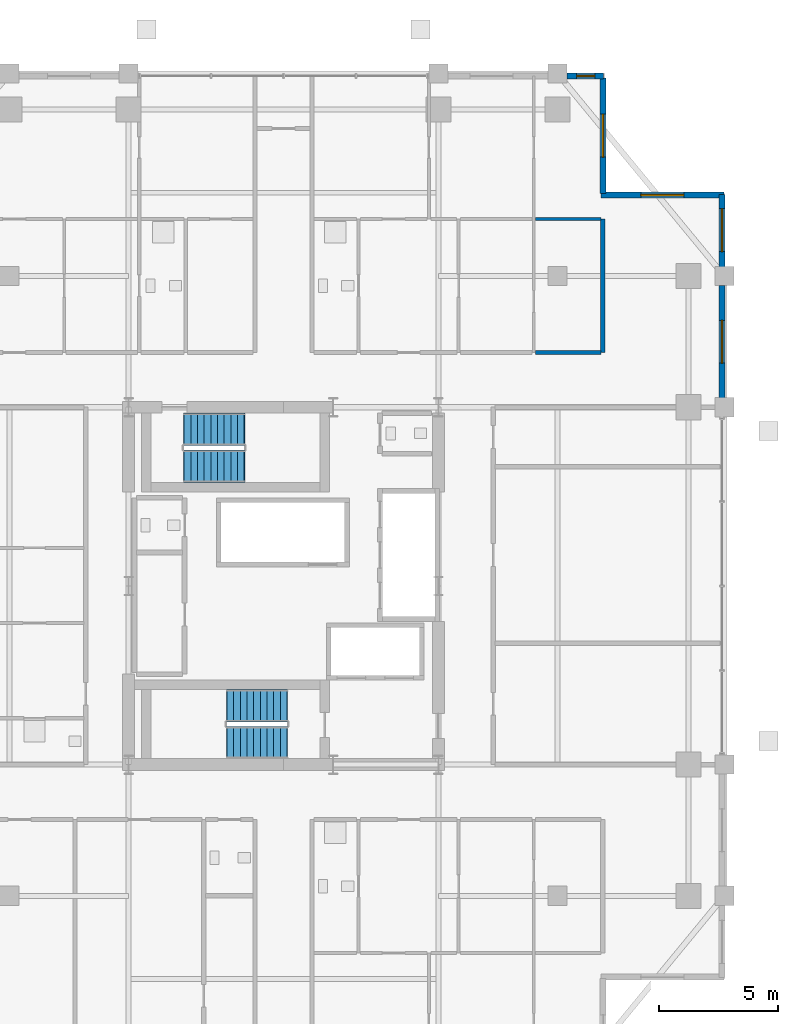
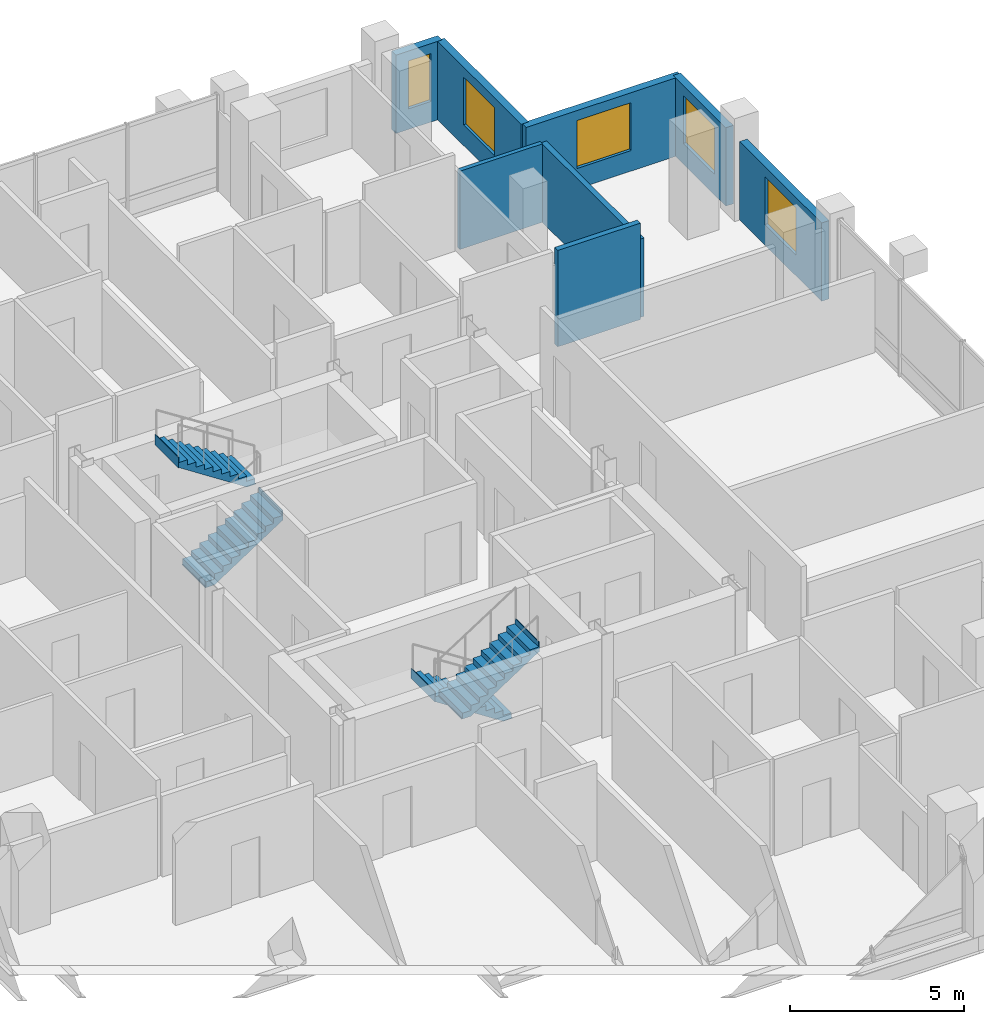
# One storey, part 22 of 24: 8 walls, 5 windows, 4 stair flights, 5 openings, 2 elements without a shape of their own.
"""IFC4 building model written with IfcOpenShell, lengths in metres."""

from ifc_helpers import new_model, si_unit, direction, frame, frame_2d, origin, place, context, subcontext, project, spatial, polyline, rectangle, outline, extrude, material, layer, layer_set, type_object, element, fill, aggregate, save


model = new_model("IFC4")

# Units and contexts
model_context = context("Model", 3, precision=1e-05, world=origin(), true_north=direction((0.0, 1.0)))
body_context = subcontext(model_context, "Body", "Model", "MODEL_VIEW")
ifc_project = project(units=[si_unit("LENGTHUNIT", "METRE"), si_unit("AREAUNIT", "SQUARE_METRE"), si_unit("VOLUMEUNIT", "CUBIC_METRE"), si_unit("PLANEANGLEUNIT", "RADIAN"), si_unit("MASSUNIT", "GRAM", prefix="KILO")], contexts=[model_context])

# Site, building, storey
site_placement = place(None, origin())
site = spatial("IfcSite", under=ifc_project, at=site_placement, CompositionType="ELEMENT")
building_placement = place(site_placement, origin())
building = spatial("IfcBuilding", under=site, at=building_placement, Name="Barlavira Tower and Art Museum", CompositionType="ELEMENT")
storey_placement = place(building_placement, frame((0.0, 0.0, 190.800048828125)))
storey = spatial("IfcBuildingStorey", under=building, at=storey_placement, Name="L49", CompositionType="ELEMENT", Elevation=190.800048828125)

# Walls
ifc_material_1 = material(Name="Gypsum acoustic stud partition", Category="gypsum")
ifc_layer_1 = layer(ifc_material_1, 0.179931640625, Name="Gypsum acoustic stud partition")
ifc_layer_set_1 = layer_set([ifc_layer_1], Name="Gypsum acoustic stud partition")
wall_type_1 = type_object("IfcWallType", Name="Inter-Tenancy Party Partition Wall 180", PredefinedType="PARTITIONING", material=ifc_layer_set_1)
wall_1_placement = place(storey_placement, frame((13.39990234375, 9.800048828125, 0.0), z_axis=(0.0, 0.0, 1.0), x_axis=(0.0, 1.0, 0.0)))
element("IfcWall", 1, at=wall_1_placement, inside=storey, type_object=wall_type_1, Name="L49 Partition Wall 26", PredefinedType="PARTITIONING", context=body_context, shape_type="SweptSolid", body=[
    extrude(rectangle(XDim=5.599853515625, YDim=0.179931640625, at=frame_2d((2.7998046875, 0.0))), origin(), (0.0, 0.0, 1.0), 2.748046875),
])
wall_2_placement = place(storey_placement, frame((10.580078125, 9.800048828125, 0.0), z_axis=(0.0, 0.0, 1.0), x_axis=(1.0, 0.0, 0.0)))
element("IfcWall", 2, at=wall_2_placement, inside=storey, type_object=wall_type_1, Name="L49 Partition Wall 66", PredefinedType="PARTITIONING", context=body_context, shape_type="SweptSolid", body=[
    extrude(rectangle(XDim=2.739990234375, YDim=0.179931640625, at=frame_2d((1.3701171875, 0.0))), origin(), (0.0, 0.0, 1.0), 3.3798828125),
])
ifc_layer_2 = layer(ifc_material_1, 0.139892578125, Name="Gypsum acoustic stud partition")
ifc_layer_set_2 = layer_set([ifc_layer_2], Name="Gypsum acoustic stud partition")
wall_type_2 = type_object("IfcWallType", Name="Moisture-Resistant Bathroom Partition 140", PredefinedType="PARTITIONING", material=ifc_layer_set_2)
wall_3_placement = place(storey_placement, frame((10.580078125, 15.39990234375, 0.0), z_axis=(0.0, 0.0, 1.0), x_axis=(1.0, 0.0, 0.0)))
element("IfcWall", 3, at=wall_3_placement, inside=storey, type_object=wall_type_2, Name="L49 Partition Wall 75", PredefinedType="PARTITIONING", context=body_context, shape_type="SweptSolid", body=[
    extrude(rectangle(XDim=2.739990234375, YDim=0.139892578125, at=frame_2d((1.3701171875, 0.0))), origin(), (0.0, 0.0, 1.0), 2.748046875),
])

# Wall, opening, window
ifc_material_2 = material(Name="Precast concrete C40", Category="concrete")
ifc_layer_3 = layer(ifc_material_2, 0.25, Name="Precast concrete C40")
ifc_layer_set_3 = layer_set([ifc_layer_3], Name="Precast concrete C40")
wall_type_3 = type_object("IfcWallType", Name="Notched Corner Spandrel Wall 250 Precast Concrete C40", PredefinedType="SOLIDWALL", material=ifc_layer_set_3)
wall_4_placement = place(storey_placement, frame((13.425048828125, 21.39990234375, 0.0), z_axis=(0.0, 0.0, 1.0), x_axis=(-1.0, 0.0, 0.0)))
wall_4 = element("IfcWall", 4, at=wall_4_placement, inside=storey, type_object=wall_type_3, Name="L49 Coastal Facade Pier Wall CW3-L49-N-1", PredefinedType="SOLIDWALL", context=body_context, shape_type="SweptSolid", body=[
    extrude(rectangle(XDim=1.530029296875, YDim=0.25, at=frame_2d((0.76513671875, 0.0))), origin(), (0.0, 0.0, 1.0), 2.748046875),
])
opening_1_placement = place(wall_4_placement, frame((0.363037109375, 0.0, 0.719970703125)))
opening_1 = element("IfcOpeningElement", 5, at=opening_1_placement, cuts=wall_4, Name="Opening WN-06", PredefinedType="OPENING", context=body_context, shape_type="SweptSolid", body=[
    extrude(rectangle(XDim=0.760009765625, YDim=1.679931640625, at=frame_2d((0.3798828125, 0.83984375))), frame((0.0, 0.135009765625, 0.0), z_axis=(0.0, -1.0, 0.0), x_axis=(1.0, 0.0, 0.0)), (0.0, 0.0, 1.0), 0.27001953125),
])
ifc_material_3 = material(Name="Low-iron coastal laminated glass", Category="glass")
window_type_1 = type_object("IfcWindowType", Name="Recessed Narrow Pier Window 760x1680", PartitioningType="SINGLE_PANEL", PredefinedType="WINDOW", material=ifc_material_3)
window_1_placement = place(opening_1_placement, origin())
window_1 = element("IfcWindow", 6, at=window_1_placement, inside=storey, type_object=window_type_1, Name="L49 Punched Facade Window EWP-CW3-L49-N-1-1", OverallHeight=1.679931640625, OverallWidth=0.760009765625, PartitioningType="SINGLE_PANEL", PredefinedType="WINDOW", context=body_context, shape_type="SweptSolid", body=[
    extrude(rectangle(XDim=0.760009765625, YDim=1.679931640625, at=frame_2d((0.3798828125, 0.83984375))), frame((0.0, 0.030029296875, 0.0), z_axis=(0.0, -1.0, 0.0), x_axis=(1.0, 0.0, 0.0)), (0.0, 0.0, 1.0), 0.06005859375),
])
fill(opening_1, window_1)

wall_5_placement = place(storey_placement, frame((18.39990234375, 7.89501953125, 0.0), z_axis=(0.0, 0.0, 1.0), x_axis=(0.0, 1.0, 0.0)))
wall_5 = element("IfcWall", 7, at=wall_5_placement, inside=storey, type_object=wall_type_3, Name="L49 Coastal Facade Pier Wall CW3-L49-E-4", PredefinedType="SOLIDWALL", context=body_context, shape_type="SweptSolid", body=[
    extrude(rectangle(XDim=4.7099609375, YDim=0.25, at=frame_2d((2.35498046875, 0.0))), origin(), (0.0, 0.0, 1.0), 2.748046875),
])
opening_2_placement = place(wall_5_placement, frame((1.455078125, 0.0, 0.719970703125)))
opening_2 = element("IfcOpeningElement", 8, at=opening_2_placement, cuts=wall_5, Name="Opening WN-01", PredefinedType="OPENING", context=body_context, shape_type="SweptSolid", body=[
    extrude(rectangle(XDim=1.800048828125, YDim=1.679931640625, at=frame_2d((0.89990234375, 0.83984375))), frame((0.0, 0.135009765625, 0.0), z_axis=(0.0, -1.0, 0.0), x_axis=(1.0, 0.0, 0.0)), (0.0, 0.0, 1.0), 0.27001953125),
])
window_type_2 = type_object("IfcWindowType", Name="Recessed Notch Corner Punch Window 1800x1680", PartitioningType="SINGLE_PANEL", PredefinedType="WINDOW", material=ifc_material_3)
window_2_placement = place(opening_2_placement, origin())
window_2 = element("IfcWindow", 9, at=window_2_placement, inside=storey, type_object=window_type_2, Name="L49 Punched Facade Window EWP-CW3-L49-E-4-1", OverallHeight=1.679931640625, OverallWidth=1.800048828125, PartitioningType="SINGLE_PANEL", PredefinedType="WINDOW", context=body_context, shape_type="SweptSolid", body=[
    extrude(rectangle(XDim=1.800048828125, YDim=1.679931640625, at=frame_2d((0.89990234375, 0.83984375))), frame((0.0, 0.030029296875, 0.0), z_axis=(0.0, -1.0, 0.0), x_axis=(1.0, 0.0, 0.0)), (0.0, 0.0, 1.0), 0.06005859375),
])
fill(opening_2, window_2)

wall_6_placement = place(storey_placement, frame((18.39990234375, 13.39501953125, 0.0), z_axis=(0.0, 0.0, 1.0), x_axis=(0.0, 1.0, 0.0)))
wall_6 = element("IfcWall", 10, at=wall_6_placement, inside=storey, type_object=wall_type_3, Name="L49 Coastal Facade Pier Wall CW3-L49-E-5", PredefinedType="SOLIDWALL", context=body_context, shape_type="SweptSolid", body=[
    extrude(rectangle(XDim=3.030029296875, YDim=0.25, at=frame_2d((1.51513671875, 0.0))), origin(), (0.0, 0.0, 1.0), 2.748046875),
])
opening_3_placement = place(wall_6_placement, frame((0.637939453125, 0.0, 0.719970703125)))
opening_3 = element("IfcOpeningElement", 11, at=opening_3_placement, cuts=wall_6, Name="Opening WN-01", PredefinedType="OPENING", context=body_context, shape_type="SweptSolid", body=[
    extrude(rectangle(XDim=1.800048828125, YDim=1.679931640625, at=frame_2d((0.89990234375, 0.83984375))), frame((0.0, 0.135009765625, 0.0), z_axis=(0.0, -1.0, 0.0), x_axis=(1.0, 0.0, 0.0)), (0.0, 0.0, 1.0), 0.27001953125),
])
window_3_placement = place(opening_3_placement, origin())
window_3 = element("IfcWindow", 12, at=window_3_placement, inside=storey, type_object=window_type_2, Name="L49 Punched Facade Window EWP-CW3-L49-E-5-1", OverallHeight=1.679931640625, OverallWidth=1.800048828125, PartitioningType="SINGLE_PANEL", PredefinedType="WINDOW", context=body_context, shape_type="SweptSolid", body=[
    extrude(rectangle(XDim=1.800048828125, YDim=1.679931640625, at=frame_2d((0.89990234375, 0.83984375))), frame((0.0, 0.030029296875, 0.0), z_axis=(0.0, -1.0, 0.0), x_axis=(1.0, 0.0, 0.0)), (0.0, 0.0, 1.0), 0.06005859375),
])
fill(opening_3, window_3)

wall_7_placement = place(storey_placement, frame((18.47998046875, 16.39990234375, 0.0), z_axis=(0.0, 0.0, 1.0), x_axis=(-1.0, 0.0, 0.0)))
wall_7 = element("IfcWall", 13, at=wall_7_placement, inside=storey, type_object=wall_type_3, Name="L49 Notch Corner Wall NE1", PredefinedType="SOLIDWALL", context=body_context, shape_type="SweptSolid", body=[
    extrude(rectangle(XDim=5.159912109375, YDim=0.25, at=frame_2d((2.580078125, 0.0))), origin(), (0.0, 0.0, 1.0), 2.748046875),
])
opening_4_placement = place(wall_7_placement, frame((1.679931640625, 0.0, 0.719970703125)))
opening_4 = element("IfcOpeningElement", 14, at=opening_4_placement, cuts=wall_7, Name="Opening WN-01", PredefinedType="OPENING", context=body_context, shape_type="SweptSolid", body=[
    extrude(rectangle(XDim=1.800048828125, YDim=1.679931640625, at=frame_2d((0.89990234375, 0.83984375))), frame((0.0, 0.135009765625, 0.0), z_axis=(0.0, -1.0, 0.0), x_axis=(1.0, 0.0, 0.0)), (0.0, 0.0, 1.0), 0.27001953125),
])
window_4_placement = place(opening_4_placement, origin())
window_4 = element("IfcWindow", 15, at=window_4_placement, inside=storey, type_object=window_type_2, Name="L49 Punched Facade Window EW-NTC-L49-NE1-1", OverallHeight=1.679931640625, OverallWidth=1.800048828125, PartitioningType="SINGLE_PANEL", PredefinedType="WINDOW", context=body_context, shape_type="SweptSolid", body=[
    extrude(rectangle(XDim=1.800048828125, YDim=1.679931640625, at=frame_2d((0.89990234375, 0.83984375))), frame((0.0, 0.030029296875, 0.0), z_axis=(0.0, -1.0, 0.0), x_axis=(1.0, 0.0, 0.0)), (0.0, 0.0, 1.0), 0.06005859375),
])
fill(opening_4, window_4)

wall_8_placement = place(storey_placement, frame((13.39990234375, 16.47998046875, 0.0), z_axis=(0.0, 0.0, 1.0), x_axis=(0.0, 1.0, 0.0)))
wall_8 = element("IfcWall", 16, at=wall_8_placement, inside=storey, type_object=wall_type_3, Name="L49 Notch Corner Wall NE2", PredefinedType="SOLIDWALL", context=body_context, shape_type="SweptSolid", body=[
    extrude(rectangle(XDim=4.840087890625, YDim=0.25, at=frame_2d((2.419921875, 0.0))), origin(), (0.0, 0.0, 1.0), 2.748046875),
])
opening_5_placement = place(wall_8_placement, frame((1.52001953125, 0.0, 0.719970703125)))
opening_5 = element("IfcOpeningElement", 17, at=opening_5_placement, cuts=wall_8, Name="Opening WN-01", PredefinedType="OPENING", context=body_context, shape_type="SweptSolid", body=[
    extrude(rectangle(XDim=1.800048828125, YDim=1.679931640625, at=frame_2d((0.89990234375, 0.83984375))), frame((0.0, 0.135009765625, 0.0), z_axis=(0.0, -1.0, 0.0), x_axis=(1.0, 0.0, 0.0)), (0.0, 0.0, 1.0), 0.27001953125),
])
window_5_placement = place(opening_5_placement, origin())
window_5 = element("IfcWindow", 18, at=window_5_placement, inside=storey, type_object=window_type_2, Name="L49 Punched Facade Window EW-NTC-L49-NE2-1", OverallHeight=1.679931640625, OverallWidth=1.800048828125, PartitioningType="SINGLE_PANEL", PredefinedType="WINDOW", context=body_context, shape_type="SweptSolid", body=[
    extrude(rectangle(XDim=1.800048828125, YDim=1.679931640625, at=frame_2d((0.89990234375, 0.83984375))), frame((0.0, 0.030029296875, 0.0), z_axis=(0.0, -1.0, 0.0), x_axis=(1.0, 0.0, 0.0)), (0.0, 0.0, 1.0), 0.06005859375),
])
fill(opening_5, window_5)

# Stair, stair flights
ifc_material_4 = material(Name="Concrete C45", Category="concrete")
stair_type_1 = type_object("IfcStairType", Name="Tower North Dog-Leg Exit Stair Assembly Concrete C45", PredefinedType="TWO_QUARTER_TURN_STAIR", material=ifc_material_4)
stair_1_placement = place(storey_placement, origin())
stair_1 = element("IfcStair", 19, at=stair_1_placement, inside=storey, type_object=stair_type_1, Name="L49 Tower North Exit Stair ST-T2", PredefinedType="TWO_QUARTER_TURN_STAIR")
ifc_material_5 = material(Name="Precast concrete C45", Category="concrete")
stair_flight_type_1 = type_object("IfcStairFlightType", Name="Tower North Dog-Leg Exit Stair Precast Flight 1350 Concrete C45", PredefinedType="STRAIGHT", material=ifc_material_5)
stair_flight_1_placement = place(storey_placement, frame((-4.169921875, 5.02490234375, 0.0), z_axis=(0.0, 0.0, 1.0), x_axis=(1.0, 0.0, 0.0)))
stair_flight_1 = element("IfcStairFlight", 20, at=stair_flight_1_placement, type_object=stair_flight_type_1, Name="ST-T2 flight 1", NumberOfRisers=10, NumberOfTreads=9, PredefinedType="STRAIGHT", RiserHeight=0.18, TreadLength=0.28, context=body_context, shape_type="SweptSolid", body=[
    extrude(outline(polyline([(-0.02490234375, 0.0), (0.0, 0.0), (0.0, 0.179931640625), (0.280029296875, 0.179931640625), (0.280029296875, 0.360107421875), (0.56005859375, 0.360107421875), (0.56005859375, 0.5400390625), (0.840087890625, 0.5400390625), (0.840087890625, 0.719970703125), (1.1201171875, 0.719970703125), (1.1201171875, 0.89990234375), (1.39990234375, 0.89990234375), (1.39990234375, 1.080078125), (1.679931640625, 1.080078125), (1.679931640625, 1.260009765625), (1.9599609375, 1.260009765625), (1.9599609375, 1.43994140625), (2.239990234375, 1.43994140625), (2.239990234375, 1.6201171875), (2.52001953125, 1.6201171875), (2.52001953125, 1.800048828125), (2.544921875, 1.800048828125), (2.544921875, 1.44189453125), (2.52001953125, 1.44189453125), (0.277099609375, -0.02490234375), (-0.02490234375, -0.02490234375), (-0.02490234375, 0.0)])), frame((0.0, 0.675048828125, 0.0), z_axis=(0.0, -1.0, 0.0), x_axis=(1.0, 0.0, 0.0)), (0.0, 0.0, 1.0), 1.35009765625),
])
stair_flight_2_placement = place(storey_placement, frame((-1.64990234375, 6.574951171875, 1.800048828125), z_axis=(0.0, 0.0, 1.0), x_axis=(-1.0, 0.0, 0.0)))
stair_flight_2 = element("IfcStairFlight", 21, at=stair_flight_2_placement, type_object=stair_flight_type_1, Name="ST-T2 flight 2", NumberOfRisers=10, NumberOfTreads=9, PredefinedType="STRAIGHT", RiserHeight=0.18, TreadLength=0.28, context=body_context, shape_type="SweptSolid", body=[
    extrude(outline(polyline([(-0.02490234375, 0.0), (0.0, 0.0), (0.0, 0.179931640625), (0.280029296875, 0.179931640625), (0.280029296875, 0.360107421875), (0.56005859375, 0.360107421875), (0.56005859375, 0.5400390625), (0.840087890625, 0.5400390625), (0.840087890625, 0.719970703125), (1.1201171875, 0.719970703125), (1.1201171875, 0.89990234375), (1.39990234375, 0.89990234375), (1.39990234375, 1.080078125), (1.679931640625, 1.080078125), (1.679931640625, 1.260009765625), (1.9599609375, 1.260009765625), (1.9599609375, 1.43994140625), (2.239990234375, 1.43994140625), (2.239990234375, 1.6201171875), (2.52001953125, 1.6201171875), (2.52001953125, 1.800048828125), (2.544921875, 1.800048828125), (2.544921875, 1.44189453125), (2.52001953125, 1.44189453125), (0.277099609375, -0.02490234375), (-0.02490234375, -0.02490234375), (-0.02490234375, 0.0)])), frame((0.0, 0.675048828125, 0.0), z_axis=(0.0, -1.0, 0.0), x_axis=(1.0, 0.0, 0.0)), (0.0, 0.0, 1.0), 1.35009765625),
])
aggregate(stair_1, [stair_flight_1, stair_flight_2])

stair_type_2 = type_object("IfcStairType", Name="Tower South Dog-Leg Exit Stair Assembly Concrete C45", PredefinedType="TWO_QUARTER_TURN_STAIR", material=ifc_material_4)
stair_2_placement = place(storey_placement, origin())
stair_2 = element("IfcStair", 22, at=stair_2_placement, inside=storey, type_object=stair_type_2, Name="L49 Tower South Exit Stair ST-T1", PredefinedType="TWO_QUARTER_TURN_STAIR")
stair_flight_type_2 = type_object("IfcStairFlightType", Name="Tower South Dog-Leg Exit Stair Precast Flight 1350 Concrete C45", PredefinedType="STRAIGHT", material=ifc_material_5)
stair_flight_3_placement = place(storey_placement, frame((0.14990234375, -5.02490234375, 0.0), z_axis=(0.0, 0.0, 1.0), x_axis=(-1.0, 0.0, 0.0)))
stair_flight_3 = element("IfcStairFlight", 23, at=stair_flight_3_placement, type_object=stair_flight_type_2, Name="ST-T1 flight 1", NumberOfRisers=10, NumberOfTreads=9, PredefinedType="STRAIGHT", RiserHeight=0.18, TreadLength=0.28, context=body_context, shape_type="SweptSolid", body=[
    extrude(outline(polyline([(-0.02490234375, 0.0), (0.0, 0.0), (0.0, 0.179931640625), (0.280029296875, 0.179931640625), (0.280029296875, 0.360107421875), (0.56005859375, 0.360107421875), (0.56005859375, 0.5400390625), (0.840087890625, 0.5400390625), (0.840087890625, 0.719970703125), (1.1201171875, 0.719970703125), (1.1201171875, 0.89990234375), (1.39990234375, 0.89990234375), (1.39990234375, 1.080078125), (1.679931640625, 1.080078125), (1.679931640625, 1.260009765625), (1.9599609375, 1.260009765625), (1.9599609375, 1.43994140625), (2.239990234375, 1.43994140625), (2.239990234375, 1.6201171875), (2.52001953125, 1.6201171875), (2.52001953125, 1.800048828125), (2.544921875, 1.800048828125), (2.544921875, 1.44189453125), (2.52001953125, 1.44189453125), (0.277099609375, -0.02490234375), (-0.02490234375, -0.02490234375), (-0.02490234375, 0.0)])), frame((0.0, 0.675048828125, 0.0), z_axis=(0.0, -1.0, 0.0), x_axis=(1.0, 0.0, 0.0)), (0.0, 0.0, 1.0), 1.35009765625),
])
stair_flight_4_placement = place(storey_placement, frame((-2.3701171875, -6.574951171875, 1.800048828125), z_axis=(0.0, 0.0, 1.0), x_axis=(1.0, 0.0, 0.0)))
stair_flight_4 = element("IfcStairFlight", 24, at=stair_flight_4_placement, type_object=stair_flight_type_2, Name="ST-T1 flight 2", NumberOfRisers=10, NumberOfTreads=9, PredefinedType="STRAIGHT", RiserHeight=0.18, TreadLength=0.28, context=body_context, shape_type="SweptSolid", body=[
    extrude(outline(polyline([(-0.02490234375, 0.0), (0.0, 0.0), (0.0, 0.179931640625), (0.280029296875, 0.179931640625), (0.280029296875, 0.360107421875), (0.56005859375, 0.360107421875), (0.56005859375, 0.5400390625), (0.840087890625, 0.5400390625), (0.840087890625, 0.719970703125), (1.1201171875, 0.719970703125), (1.1201171875, 0.89990234375), (1.39990234375, 0.89990234375), (1.39990234375, 1.080078125), (1.679931640625, 1.080078125), (1.679931640625, 1.260009765625), (1.9599609375, 1.260009765625), (1.9599609375, 1.43994140625), (2.239990234375, 1.43994140625), (2.239990234375, 1.6201171875), (2.52001953125, 1.6201171875), (2.52001953125, 1.800048828125), (2.544921875, 1.800048828125), (2.544921875, 1.44189453125), (2.52001953125, 1.44189453125), (0.277099609375, -0.02490234375), (-0.02490234375, -0.02490234375), (-0.02490234375, 0.0)])), frame((0.0, 0.675048828125, 0.0), z_axis=(0.0, -1.0, 0.0), x_axis=(1.0, 0.0, 0.0)), (0.0, 0.0, 1.0), 1.35009765625),
])
aggregate(stair_2, [stair_flight_3, stair_flight_4])

save(model, "model.ifc")
